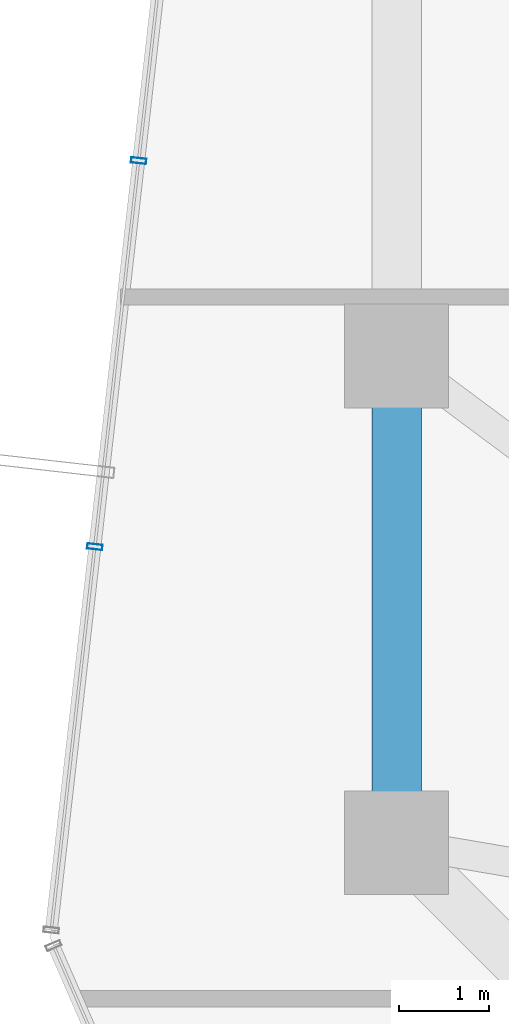
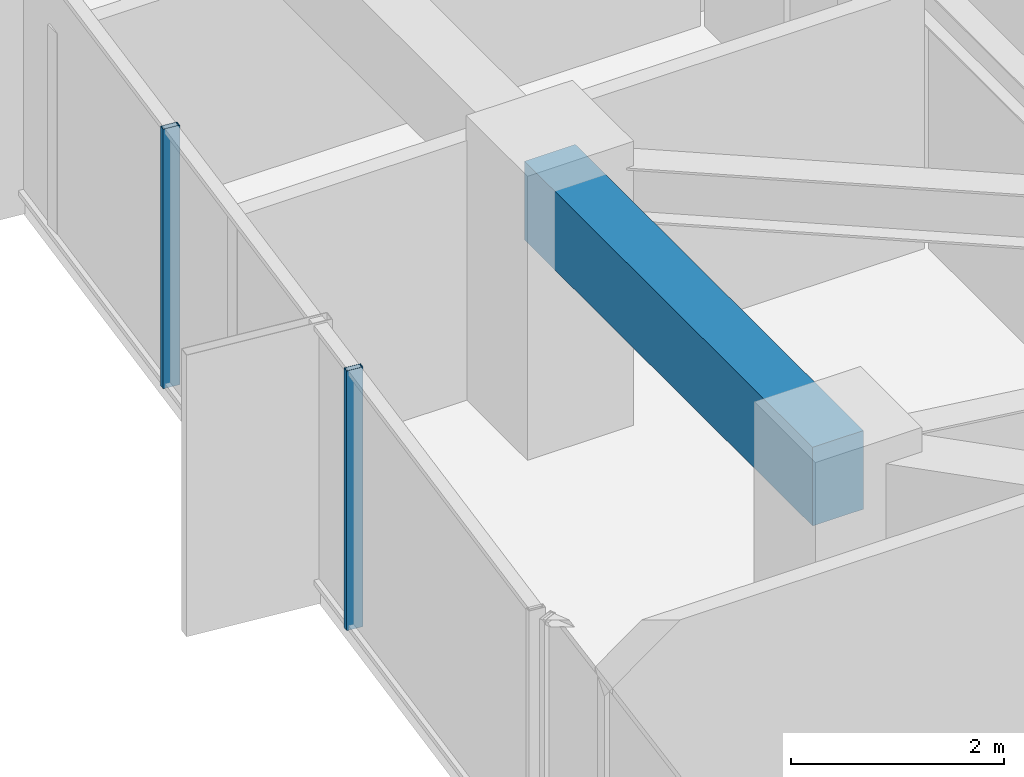
# One storey, part 10 of 29: 2 members, 1 beam, 1 element without a shape of its own.
"""IFC4 building model written with IfcOpenShell, lengths in metres."""

from ifc_helpers import new_model, si_unit, direction, frame, origin, origin_2d, place, context, subcontext, project, spatial, rectangle, hollow_rectangle, extrude, source, transform, mapped, material, layer, layer_set, material_profile, profile_set, type_object, element, aggregate, save


model = new_model("IFC4")

# Units and contexts
model_context = context("Model", 3, precision=1e-05, world=origin(), true_north=direction((0.0, 1.0)))
body_context = subcontext(model_context, "Body", "Model", "MODEL_VIEW")
ifc_project = project(units=[si_unit("LENGTHUNIT", "METRE"), si_unit("AREAUNIT", "SQUARE_METRE"), si_unit("VOLUMEUNIT", "CUBIC_METRE"), si_unit("PLANEANGLEUNIT", "RADIAN"), si_unit("MASSUNIT", "GRAM", prefix="KILO")], contexts=[model_context])

# Site, building, storey
site_placement = place(None, origin())
site = spatial("IfcSite", under=ifc_project, at=site_placement, CompositionType="ELEMENT")
building_placement = place(site_placement, origin())
building = spatial("IfcBuilding", under=site, at=building_placement, Name="Veraguas Prism Commons", CompositionType="ELEMENT")
storey_placement = place(building_placement, frame((0.0, 0.0, 105.699951171875)))
storey = spatial("IfcBuildingStorey", under=building, at=storey_placement, Name="L29", CompositionType="ELEMENT", Elevation=105.699951171875)

# Beam
ifc_material_1 = material(Name="Concrete C50/60", Category="concrete")
ifc_material_profile_1 = material_profile(ifc_material_1, rectangle(XDim=0.550048828125, YDim=0.89990234375, at=origin_2d()), Name="RC550X900")
ifc_profile_set_1 = profile_set([ifc_material_profile_1], Name="Concrete C50/60")
beam_type = type_object("IfcBeamType", Name="Perimeter Spandrel Lower RC 550x900", PredefinedType="SPANDREL", material=ifc_profile_set_1)
beam_placement = place(storey_placement, frame((7.800048828125, 24.0, 2.52001953125), z_axis=(0.0, -1.0, 0.0), x_axis=(1.0, 0.0, 0.0)))
element("IfcBeam", 1, at=beam_placement, inside=storey, type_object=beam_type, Name="Perimeter Spandrel Beam L29-SP08", PredefinedType="SPANDREL", context=body_context, shape_type="SweptSolid", body=[
    extrude(rectangle(XDim=0.550048828125, YDim=0.89990234375, at=origin_2d()), origin(), (0.0, 0.0, 1.0), 5.39990234375),
])

# Curtain wall, members
ifc_material_2 = material(Name="Anodised aluminium EN AW-6063 T6", Category="aluminium")
ifc_layer = layer(ifc_material_2, 0.169921875, Name="Unitised Flush Curtain Wall Zone 2", Category="aluminium")
ifc_layer_set = layer_set([ifc_layer], Name="Anodised aluminium EN AW-6063 T6")
curtain_wall_type = type_object("IfcCurtainWallType", Name="Unitised Flush Curtain Wall Zone 2", PredefinedType="NOTDEFINED", material=ifc_layer_set)
curtain_wall_placement = place(storey_placement, origin())
curtain_wall = element("IfcCurtainWall", 2, at=curtain_wall_placement, inside=storey, type_object=curtain_wall_type, Name="Tower Facade Curtain Wall L29-F3", PredefinedType="NOTDEFINED")
ifc_material_profile_2 = material_profile(ifc_material_2, hollow_rectangle(XDim=0.06005859375, YDim=0.169921875, WallThickness=0.00390625, at=origin_2d()), Name="AL60X170X4")
ifc_profile_set_2 = profile_set([ifc_material_profile_2], Name="Anodised aluminium EN AW-6063 T6")
member_type = type_object("IfcMemberType", Name="Curtain Wall Mullion Lower AL 60x170x4", PredefinedType="MULLION", material=ifc_profile_set_2)
shared_shape = source(origin(), body_context, "Body", "SweptSolid", [
    extrude(hollow_rectangle(XDim=0.06005859375, YDim=0.169921875, WallThickness=0.00390625, at=origin_2d()), origin(), (0.0, 0.0, 1.0), 2.969970703125),
])
member_1_placement = place(storey_placement, frame((4.940185546875, 26.164794921875, 0.0), z_axis=(0.0, 0.0, 1.0), x_axis=(-0.112856384873, -0.99361131052, 0.0)))
member_1 = element("IfcMember", 3, at=member_1_placement, type_object=member_type, Name="CW-Z2 Mullion 3", PredefinedType="MULLION", context=body_context, shape_type="MappedRepresentation", body=[
    mapped(shared_shape, transform((0.0, 0.0, 0.0), scale=1.0)),
])
member_2_placement = place(storey_placement, frame((4.453857421875, 21.8837890625, 0.0), z_axis=(0.0, 0.0, 1.0), x_axis=(-0.112856384873, -0.99361131052, 0.0)))
member_2 = element("IfcMember", 4, at=member_2_placement, type_object=member_type, Name="CW-Z2 Mullion 4", PredefinedType="MULLION", context=body_context, shape_type="MappedRepresentation", body=[
    mapped(shared_shape, transform((0.0, 0.0, 0.0), scale=1.0)),
])
aggregate(curtain_wall, [member_1, member_2])

save(model, "model.ifc")
